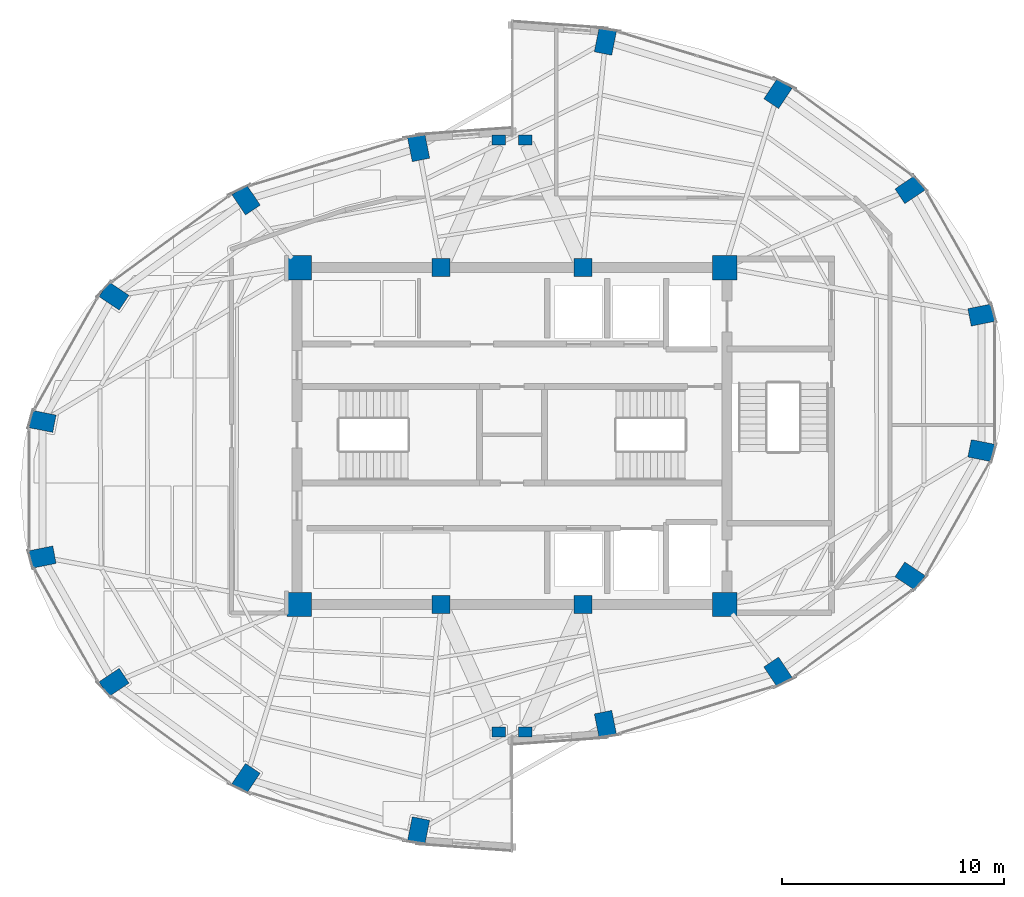
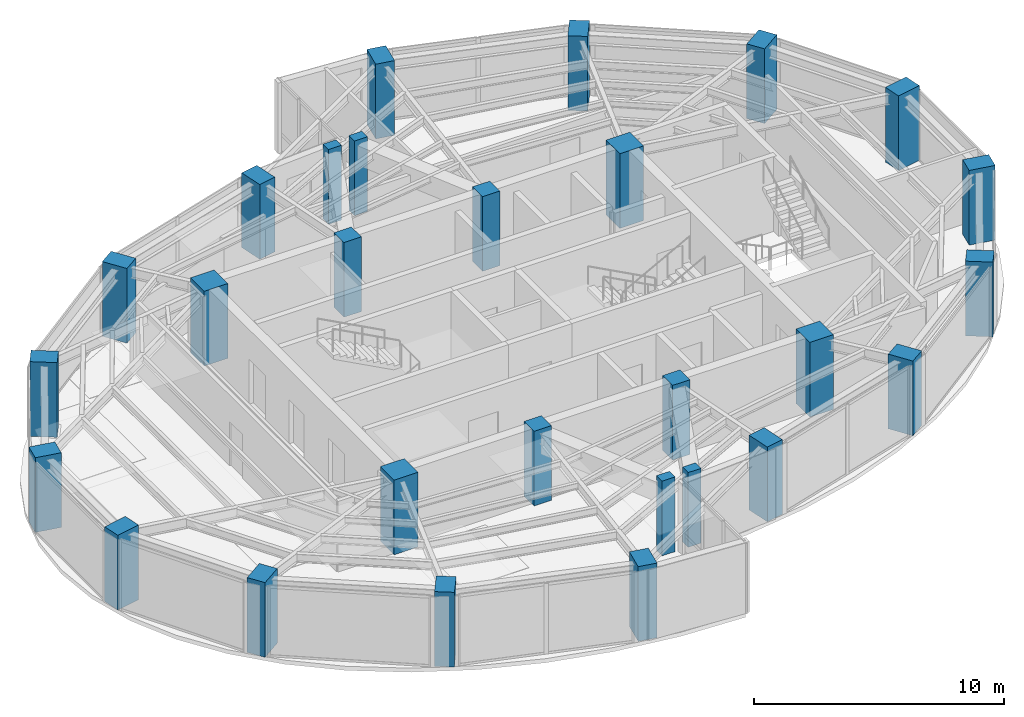
# One storey, part 1 of 22: 28 columns.
"""IFC4 building model written with IfcOpenShell, lengths in metres."""

from ifc_helpers import new_model, si_unit, direction, frame, origin, origin_2d, place, context, subcontext, project, spatial, rectangle, extrude, material, material_profile, profile_set, type_object, element, save


model = new_model("IFC4")

# Units and contexts
model_context = context("Model", 3, precision=1e-05, world=origin(), true_north=direction((0.0, 1.0)))
body_context = subcontext(model_context, "Body", "Model", "MODEL_VIEW")
ifc_project = project(units=[si_unit("LENGTHUNIT", "METRE"), si_unit("AREAUNIT", "SQUARE_METRE"), si_unit("VOLUMEUNIT", "CUBIC_METRE"), si_unit("PLANEANGLEUNIT", "RADIAN"), si_unit("MASSUNIT", "GRAM", prefix="KILO")], contexts=[model_context])

# Site, building, storey
site_placement = place(None, origin())
site = spatial("IfcSite", under=ifc_project, at=site_placement, CompositionType="ELEMENT")
building_placement = place(site_placement, origin())
building = spatial("IfcBuilding", under=site, at=building_placement, Name="Lazwardi Medical Tower", CompositionType="ELEMENT")
storey_placement = place(building_placement, frame((0.0, 0.0, 255.02392578125)))
storey = spatial("IfcBuildingStorey", under=building, at=storey_placement, Name="L66", CompositionType="ELEMENT", Elevation=255.02392578125)

# Columns
ifc_material_1 = material(Name="Concrete C80/95", Category="concrete")
ifc_material_profile_1 = material_profile(ifc_material_1, rectangle(XDim=1.10009765625, YDim=1.10009765625, at=origin_2d()), Name="RC 1100x1100")
ifc_profile_set_1 = profile_set([ifc_material_profile_1], Name="Concrete C80/95")
column_type_1 = type_object("IfcColumnType", Name="COL-CC-L", PredefinedType="COLUMN", material=ifc_profile_set_1)
for number, where, z_axis, x_axis, name in (
    (1, (26.39990234375, 20.39990234375, 0.0), (0.0, 0.0, 1.0), (1.0, 0.0, 0.0), "Core column CC-01 CC1 L66"),
    (2, (45.60009765625, 20.39990234375, 0.0), (0.0, 0.0, 1.0), (1.0, 0.0, 0.0), "Core column CC-01 CC4 L66"),
    (3, (45.60009765625, 35.60009765625, 0.0), (0.0, 0.0, 1.0), (1.0, 0.0, 0.0), "Core column CC-01 CC5 L66"),
    (4, (26.39990234375, 35.60009765625, 0.0), (0.0, 0.0, 1.0), (1.0, 0.0, 0.0), "Core column CC-01 CC8 L66"),
):
    element("IfcColumn", number, at=place(storey_placement, frame(where, z_axis=z_axis, x_axis=x_axis)), inside=storey, type_object=column_type_1, Name=name, PredefinedType="COLUMN", context=body_context, shape_type="SweptSolid", body=[
        extrude(rectangle(XDim=1.10009765625, YDim=1.10009765625, at=origin_2d()), origin(), (0.0, 0.0, 1.0), 3.648193359375),
    ])
ifc_material_2 = material(Name="Concrete C60/75", Category="concrete")
ifc_material_profile_2 = material_profile(ifc_material_2, rectangle(XDim=0.800048828125, YDim=0.800048828125, at=origin_2d()), Name="RC 800x800")
ifc_profile_set_2 = profile_set([ifc_material_profile_2], Name="Concrete C60/75")
column_type_2 = type_object("IfcColumnType", Name="COL-CC-U", PredefinedType="COLUMN", material=ifc_profile_set_2)
for number, where, z_axis, x_axis, name in (
    (5, (32.800048828125, 20.39990234375, 0.0), (0.0, 0.0, 1.0), (1.0, 0.0, 0.0), "Core column CC-03 CC2 L66"),
    (6, (39.199951171875, 20.39990234375, 0.0), (0.0, 0.0, 1.0), (1.0, 0.0, 0.0), "Core column CC-03 CC3 L66"),
    (7, (39.199951171875, 35.60009765625, 0.0), (0.0, 0.0, 1.0), (1.0, 0.0, 0.0), "Core column CC-03 CC6 L66"),
    (8, (32.800048828125, 35.60009765625, 0.0), (0.0, 0.0, 1.0), (1.0, 0.0, 0.0), "Core column CC-03 CC7 L66"),
):
    element("IfcColumn", number, at=place(storey_placement, frame(where, z_axis=z_axis, x_axis=x_axis)), inside=storey, type_object=column_type_2, Name=name, PredefinedType="COLUMN", context=body_context, shape_type="SweptSolid", body=[
        extrude(rectangle(XDim=0.800048828125, YDim=0.800048828125, at=origin_2d()), origin(), (0.0, 0.0, 1.0), 3.648193359375),
    ])
ifc_material_profile_3 = material_profile(ifc_material_2, rectangle(XDim=1.10009765625, YDim=0.800048828125, at=origin_2d()), Name="CFT-RECT 1100x800")
ifc_profile_set_3 = profile_set([ifc_material_profile_3], Name="Concrete C60/75")
column_type_3 = type_object("IfcColumnType", Name="COL-MC-Z4", PredefinedType="COLUMN", material=ifc_profile_set_3)
for number, where, z_axis, x_axis, name in (
    (9, (40.214111328125, 15.001708984375, 0.0), (0.0, 0.0, 1.0), (0.195090322016, -0.980785280403, 0.0), "Mega column MC-06 M01 L66"),
    (10, (48.000244140625, 17.345947265625, 0.0), (0.0, 0.0, 1.0), (0.55557023302, -0.831469612303, 0.0), "Mega column MC-06 M02 L66"),
    (11, (53.959716796875, 21.677490234375, 0.0), (0.0, 0.0, 1.0), (0.831469612303, -0.55557023302, 0.0), "Mega column MC-06 M03 L66"),
    (12, (57.18505859375, 27.337158203125, 0.0), (0.0, 0.0, 1.0), (0.980785280403, -0.195090322016, 0.0), "Mega column MC-06 M04 L66"),
    (13, (57.18505859375, 33.462890625, 0.0), (0.0, 0.0, 1.0), (0.980785280403, 0.195090322016, 0.0), "Mega column MC-06 M05 L66"),
    (14, (53.959716796875, 39.12255859375, 0.0), (0.0, 0.0, 1.0), (0.831469612303, 0.55557023302, 0.0), "Mega column MC-06 M06 L66"),
    (15, (48.000244140625, 43.4541015625, 0.0), (0.0, 0.0, 1.0), (0.55557023302, 0.831469612303, 0.0), "Mega column MC-06 M07 L66"),
    (16, (40.214111328125, 45.79833984375, 0.0), (0.0, 0.0, 1.0), (0.195090322016, 0.980785280403, 0.0), "Mega column MC-06 M08 L66"),
    (17, (31.785888671875, 40.998291015625, 0.0), (0.0, 0.0, 1.0), (-0.195090322016, 0.980785280403, 0.0), "Mega column MC-06 M09 L66"),
    (18, (23.999755859375, 38.654052734375, 0.0), (0.0, 0.0, 1.0), (-0.55557023302, 0.831469612303, 0.0), "Mega column MC-06 M10 L66"),
    (19, (18.040283203125, 34.322509765625, 0.0), (0.0, 0.0, 1.0), (-0.831469612303, 0.55557023302, 0.0), "Mega column MC-06 M11 L66"),
    (20, (14.81494140625, 28.662841796875, 0.0), (0.0, 0.0, 1.0), (-0.980785280403, 0.195090322016, 0.0), "Mega column MC-06 M12 L66"),
    (21, (14.81494140625, 22.537109375, 0.0), (0.0, 0.0, 1.0), (-0.980785280403, -0.195090322016, 0.0), "Mega column MC-06 M13 L66"),
    (22, (18.040283203125, 16.87744140625, 0.0), (0.0, 0.0, 1.0), (-0.831469612303, -0.55557023302, 0.0), "Mega column MC-06 M14 L66"),
    (23, (23.999755859375, 12.5458984375, 0.0), (0.0, 0.0, 1.0), (-0.55557023302, -0.831469612303, 0.0), "Mega column MC-06 M15 L66"),
    (24, (31.785888671875, 10.20166015625, 0.0), (0.0, 0.0, 1.0), (-0.195090322016, -0.980785280403, 0.0), "Mega column MC-06 M16 L66"),
):
    element("IfcColumn", number, at=place(storey_placement, frame(where, z_axis=z_axis, x_axis=x_axis)), inside=storey, type_object=column_type_3, Name=name, PredefinedType="COLUMN", context=body_context, shape_type="SweptSolid", body=[
        extrude(rectangle(XDim=1.10009765625, YDim=0.800048828125, at=origin_2d()), origin(), (0.0, 0.0, 1.0), 3.648193359375),
    ])
ifc_material_profile_4 = material_profile(ifc_material_2, rectangle(XDim=0.60009765625, YDim=0.449951171875, at=origin_2d()), Name="RC 600x450")
ifc_profile_set_4 = profile_set([ifc_material_profile_4], Name="Concrete C60/75")
column_type_4 = type_object("IfcColumnType", Name="COL-PL-IW", PredefinedType="PILASTER", material=ifc_profile_set_4)
for number, where, z_axis, x_axis, name in (
    (25, (35.39990234375, 41.35009765625, 0.0), (0.0, 0.0, 1.0), (1.0, 0.0, 0.0), "Iwan pilaster column PL-C1 PL1 L66"),
    (26, (36.60009765625, 41.35009765625, 0.0), (0.0, 0.0, 1.0), (1.0, 0.0, 0.0), "Iwan pilaster column PL-C1 PL2 L66"),
    (27, (35.39990234375, 14.64990234375, 0.0), (0.0, 0.0, 1.0), (1.0, 0.0, 0.0), "Iwan pilaster column PL-C1 PL3 L66"),
    (28, (36.60009765625, 14.64990234375, 0.0), (0.0, 0.0, 1.0), (1.0, 0.0, 0.0), "Iwan pilaster column PL-C1 PL4 L66"),
):
    element("IfcColumn", number, at=place(storey_placement, frame(where, z_axis=z_axis, x_axis=x_axis)), inside=storey, type_object=column_type_4, Name=name, PredefinedType="PILASTER", context=body_context, shape_type="SweptSolid", body=[
        extrude(rectangle(XDim=0.60009765625, YDim=0.449951171875, at=origin_2d()), origin(), (0.0, 0.0, 1.0), 3.648193359375),
    ])

save(model, "model.ifc")
